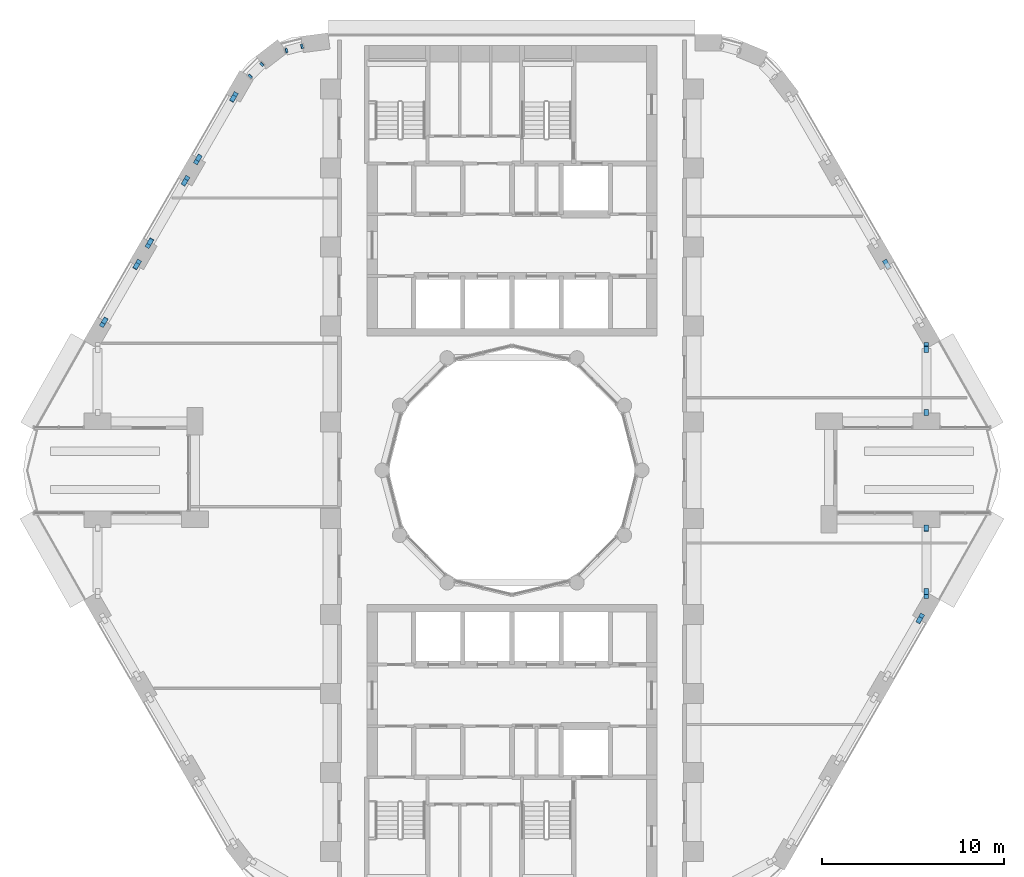
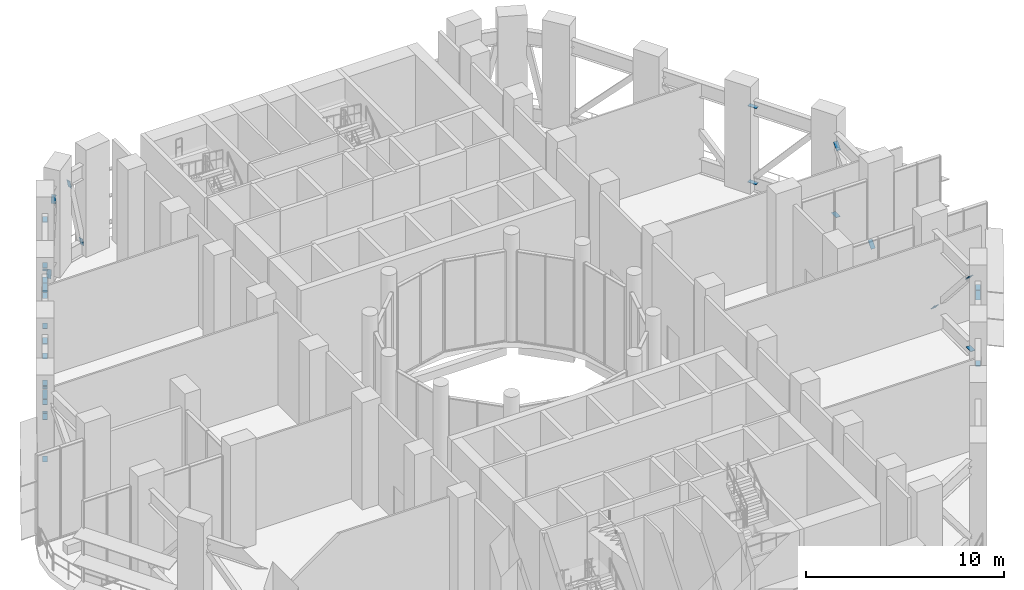
# One storey, part 14 of 20: 33 discrete accessories.
"""IFC4 building model written with IfcOpenShell, lengths in metres."""

from ifc_helpers import new_model, si_unit, direction, frame, origin, origin_2d, place, context, subcontext, project, spatial, rectangle, extrude, material, material_profile, profile_set, type_object, element, save


model = new_model("IFC4")

# Units and contexts
model_context = context("Model", 3, precision=1e-05, world=origin(), true_north=direction((0.0, 1.0)))
body_context = subcontext(model_context, "Body", "Model", "MODEL_VIEW")
ifc_project = project(units=[si_unit("LENGTHUNIT", "METRE"), si_unit("AREAUNIT", "SQUARE_METRE"), si_unit("VOLUMEUNIT", "CUBIC_METRE"), si_unit("PLANEANGLEUNIT", "RADIAN"), si_unit("MASSUNIT", "GRAM", prefix="KILO")], contexts=[model_context])

# Site, building, storey
site_placement = place(None, origin())
site = spatial("IfcSite", under=ifc_project, at=site_placement, CompositionType="ELEMENT")
building_placement = place(site_placement, origin())
building = spatial("IfcBuilding", under=site, at=building_placement, Name="Nakaniwa Court", CompositionType="ELEMENT")
storey_placement = place(building_placement, frame((0.0, 0.0, 71.10009765625)))
storey = spatial("IfcBuildingStorey", under=building, at=storey_placement, Name="S1", CompositionType="ELEMENT", Elevation=71.10009765625)

# Discrete accessories
ifc_material = material(Name="Steel Grade 350", Category="steel")
ifc_material_profile = material_profile(ifc_material, rectangle(XDim=0.25, YDim=0.02001953125, at=origin_2d()), Name="Truss end gusset plate 250x20")
ifc_profile_set = profile_set([ifc_material_profile], Name="Steel Grade 350")
discrete_accessory_type = type_object("IfcDiscreteAccessoryType", Name="Truss end gusset plate 250x20", PredefinedType="BRACKET", material=ifc_profile_set)
for number, where, z_axis, x_axis, name in (
    (1, (68.37451171875, 103.3369140625, 1.04638671875), (0.208476361943, 0.055170559484, -0.976470079356), (-0.255830332221, 0.966721697861, 0.0), "Gusset plate GU-095"),
    (2, (67.627685546875, 103.1376953125, 4.54345703125), (-0.208943305772, -0.055164938206, 0.976370587721), (0.255271590949, -0.966869388726, 0.0), "Gusset plate GU-096"),
    (3, (66.1865234375, 102.322021484375, 4.543701171875), (0.158660901137, 0.159149088525, 0.974422026676), (-0.708192131194, 0.706019762694, 0.0), "Gusset plate GU-097"),
    (4, (65.617431640625, 101.75146484375, 1.046142578125), (-0.158660901137, -0.159149088525, -0.974422026676), (0.708192131194, -0.706019762694, 0.0), "Gusset plate GU-098"),
):
    element("IfcDiscreteAccessory", number, at=place(storey_placement, frame(where, z_axis=z_axis, x_axis=x_axis)), inside=storey, type_object=discrete_accessory_type, Name=name, PredefinedType="BRACKET", context=body_context, shape_type="SweptSolid", body=[
        extrude(rectangle(XDim=0.25, YDim=0.02001953125, at=origin_2d()), origin(), (0.0, 0.0, 1.0), 0.5),
    ])
for number, where, z_axis, x_axis, name in (
    (5, (64.5673828125, 100.3701171875, 0.449951171875), (0.500131122175, 0.865949687125, 0.0), (-0.865949687125, 0.500131122175, 0.0), "Gusset plate GU-099"),
    (6, (62.804443359375, 97.31640625, 0.449951171875), (-0.500131122175, -0.865949687125, 0.0), (0.865949687125, -0.500131122175, 0.0), "Gusset plate GU-100"),
    (7, (64.5673828125, 100.3701171875, 5.139892578125), (0.500131122175, 0.865949687125, 0.0), (-0.865949687125, 0.500131122175, 0.0), "Gusset plate GU-101"),
    (8, (62.804443359375, 97.31640625, 5.139892578125), (-0.500131122175, -0.865949687125, 0.0), (0.865949687125, -0.500131122175, 0.0), "Gusset plate GU-102"),
):
    element("IfcDiscreteAccessory", number, at=place(storey_placement, frame(where, z_axis=z_axis, x_axis=x_axis)), inside=storey, type_object=discrete_accessory_type, Name=name, PredefinedType="BRACKET", context=body_context, shape_type="SweptSolid", body=[
        extrude(rectangle(XDim=0.25, YDim=0.02001953125, at=origin_2d()), origin(), (0.0, 0.0, 1.0), 0.499755859375),
    ])
for number, where, z_axis, x_axis, name in (
    (9, (64.540771484375, 100.323486328125, 1.00830078125), (0.345255139411, 0.598702688711, -0.722740603011), (-0.866279678162, 0.499559325009, 0.0), "Gusset plate GU-103"),
    (10, (62.831298828125, 97.363037109375, 4.58154296875), (-0.345685158394, -0.598601700835, 0.722618692689), (0.865973841288, -0.500089298231, 0.0), "Gusset plate GU-104"),
):
    element("IfcDiscreteAccessory", number, at=place(storey_placement, frame(where, z_axis=z_axis, x_axis=x_axis)), inside=storey, type_object=discrete_accessory_type, Name=name, PredefinedType="BRACKET", context=body_context, shape_type="SweptSolid", body=[
        extrude(rectangle(XDim=0.25, YDim=0.02001953125, at=origin_2d()), origin(), (0.0, 0.0, 1.0), 0.5),
    ])
discrete_accessory_1_placement = place(storey_placement, frame((61.904541015625, 95.7578125, 0.449951171875), z_axis=(0.500131122175, 0.865949687125, 0.0), x_axis=(-0.865949687125, 0.500131122175, 0.0)))
element("IfcDiscreteAccessory", 11, at=discrete_accessory_1_placement, inside=storey, type_object=discrete_accessory_type, Name="Gusset plate GU-105", PredefinedType="BRACKET", context=body_context, shape_type="SweptSolid", body=[
    extrude(rectangle(XDim=0.25, YDim=0.02001953125, at=origin_2d()), origin(), (0.0, 0.0, 1.0), 0.499755859375),
])
discrete_accessory_2_placement = place(storey_placement, frame((60.1416015625, 92.7041015625, 0.449951171875), z_axis=(-0.499919672301, -0.866071776036, 0.0), x_axis=(0.866071776036, -0.499919672301, 0.0)))
element("IfcDiscreteAccessory", 12, at=discrete_accessory_2_placement, inside=storey, type_object=discrete_accessory_type, Name="Gusset plate GU-106", PredefinedType="BRACKET", context=body_context, shape_type="SweptSolid", body=[
    extrude(rectangle(XDim=0.25, YDim=0.02001953125, at=origin_2d()), origin(), (0.0, 0.0, 1.0), 0.5),
])
discrete_accessory_3_placement = place(storey_placement, frame((61.904541015625, 95.7578125, 5.139892578125), z_axis=(0.500131122175, 0.865949687125, 0.0), x_axis=(-0.865949687125, 0.500131122175, 0.0)))
element("IfcDiscreteAccessory", 13, at=discrete_accessory_3_placement, inside=storey, type_object=discrete_accessory_type, Name="Gusset plate GU-107", PredefinedType="BRACKET", context=body_context, shape_type="SweptSolid", body=[
    extrude(rectangle(XDim=0.25, YDim=0.02001953125, at=origin_2d()), origin(), (0.0, 0.0, 1.0), 0.499755859375),
])
for number, where, z_axis, x_axis, name in (
    (14, (60.1416015625, 92.7041015625, 5.139892578125), (-0.499919672301, -0.866071776036, 0.0), (0.866071776036, -0.499919672301, 0.0), "Gusset plate GU-108"),
    (15, (61.877685546875, 95.711181640625, 4.58154296875), (0.345685158394, 0.598601700835, 0.722618692689), (-0.865973841288, 0.500089298231, 0.0), "Gusset plate GU-109"),
    (16, (60.16845703125, 92.75048828125, 1.00830078125), (-0.345786195145, -0.598288261374, -0.722829899457), (0.865797030805, -0.500395345151, 0.0), "Gusset plate GU-110"),
    (17, (59.24169921875, 91.145263671875, 0.449951171875), (0.499919672301, 0.866071776036, 0.0), (-0.866071776036, 0.499919672301, 0.0), "Gusset plate GU-111"),
    (18, (57.627197265625, 88.34912109375, 0.449951171875), (-0.499919672301, -0.866071776036, 0.0), (0.866071776036, -0.499919672301, 0.0), "Gusset plate GU-112"),
    (19, (59.24169921875, 91.145263671875, 5.139892578125), (0.499919672301, 0.866071776036, 0.0), (-0.866071776036, 0.499919672301, 0.0), "Gusset plate GU-113"),
    (20, (57.627197265625, 88.34912109375, 5.139892578125), (-0.499919672301, -0.866071776036, 0.0), (0.866071776036, -0.499919672301, 0.0), "Gusset plate GU-114"),
):
    element("IfcDiscreteAccessory", number, at=place(storey_placement, frame(where, z_axis=z_axis, x_axis=x_axis)), inside=storey, type_object=discrete_accessory_type, Name=name, PredefinedType="BRACKET", context=body_context, shape_type="SweptSolid", body=[
        extrude(rectangle(XDim=0.25, YDim=0.02001953125, at=origin_2d()), origin(), (0.0, 0.0, 1.0), 0.5),
    ])
for number, where, z_axis, x_axis, name in (
    (21, (59.217041015625, 91.102783203125, 1.0126953125), (0.32998239271, 0.571611511632, -0.751246897013), (-0.866050114754, 0.499957196903, 0.0), "Gusset plate GU-115"),
    (22, (57.651611328125, 88.3916015625, 4.5771484375), (-0.32998239271, -0.571611511632, 0.751246897013), (0.866050114754, -0.499957196903, 0.0), "Gusset plate GU-116"),
):
    element("IfcDiscreteAccessory", number, at=place(storey_placement, frame(where, z_axis=z_axis, x_axis=x_axis)), inside=storey, type_object=discrete_accessory_type, Name=name, PredefinedType="BRACKET", context=body_context, shape_type="SweptSolid", body=[
        extrude(rectangle(XDim=0.25, YDim=0.02001953125, at=origin_2d()), origin(), (0.0, 0.0, 1.0), 0.500244140625),
    ])
for number, where, z_axis, x_axis, name in (
    (23, (102.372802734375, 71.65087890625, 0.449951171875), (0.499919672301, 0.866071776036, 0.0), (-0.866071776036, 0.499919672301, 0.0), "Gusset plate GU-163"),
    (24, (102.372802734375, 71.65087890625, 5.139892578125), (0.499919672301, 0.866071776036, 0.0), (-0.866071776036, 0.499919672301, 0.0), "Gusset plate GU-165"),
):
    element("IfcDiscreteAccessory", number, at=place(storey_placement, frame(where, z_axis=z_axis, x_axis=x_axis)), inside=storey, type_object=discrete_accessory_type, Name=name, PredefinedType="BRACKET", context=body_context, shape_type="SweptSolid", body=[
        extrude(rectangle(XDim=0.25, YDim=0.02001953125, at=origin_2d()), origin(), (0.0, 0.0, 1.0), 0.5),
    ])
discrete_accessory_4_placement = place(storey_placement, frame((102.348388671875, 71.6083984375, 4.5771484375), z_axis=(0.32998239271, 0.571611511632, 0.751246897013), x_axis=(-0.866050114754, 0.499957196903, 0.0)))
element("IfcDiscreteAccessory", 25, at=discrete_accessory_4_placement, inside=storey, type_object=discrete_accessory_type, Name="Gusset plate GU-167", PredefinedType="BRACKET", context=body_context, shape_type="SweptSolid", body=[
    extrude(rectangle(XDim=0.25, YDim=0.02001953125, at=origin_2d()), origin(), (0.0, 0.0, 1.0), 0.500244140625),
])
discrete_accessory_5_placement = place(storey_placement, frame((102.822998046875, 73.4462890625, 0.449951171875), z_axis=(0.0, -1.0, 0.0), x_axis=(1.0, 0.0, 0.0)))
element("IfcDiscreteAccessory", 26, at=discrete_accessory_5_placement, inside=storey, type_object=discrete_accessory_type, Name="Gusset plate GU-168", PredefinedType="BRACKET", context=body_context, shape_type="SweptSolid", body=[
    extrude(rectangle(XDim=0.25, YDim=0.02001953125, at=origin_2d()), origin(), (0.0, 0.0, 1.0), 0.5),
])
discrete_accessory_6_placement = place(storey_placement, frame((102.822998046875, 73.49560546875, 4.57763671875), z_axis=(0.0, -0.662816244613, 0.748782095056), x_axis=(1.0, 0.0, 0.0)))
element("IfcDiscreteAccessory", 27, at=discrete_accessory_6_placement, inside=storey, type_object=discrete_accessory_type, Name="Gusset plate GU-169", PredefinedType="BRACKET", context=body_context, shape_type="SweptSolid", body=[
    extrude(rectangle(XDim=0.25, YDim=0.02001953125, at=origin_2d()), origin(), (0.0, 0.0, 1.0), 0.499755859375),
])
for number, where, z_axis, x_axis, name in (
    (28, (102.822998046875, 76.650634765625, 1.01220703125), (0.0, 0.662573882203, -0.74899656249), (-1.0, 0.0, 0.0), "Gusset plate GU-170"),
    (29, (102.822998046875, 86.5537109375, 0.449951171875), (0.0, 1.0, 0.0), (-1.0, 0.0, 0.0), "Gusset plate GU-171"),
    (30, (102.822998046875, 83.349365234375, 1.01220703125), (0.0, -0.662573882203, -0.74899656249), (1.0, 0.0, 0.0), "Gusset plate GU-172"),
):
    element("IfcDiscreteAccessory", number, at=place(storey_placement, frame(where, z_axis=z_axis, x_axis=x_axis)), inside=storey, type_object=discrete_accessory_type, Name=name, PredefinedType="BRACKET", context=body_context, shape_type="SweptSolid", body=[
        extrude(rectangle(XDim=0.25, YDim=0.02001953125, at=origin_2d()), origin(), (0.0, 0.0, 1.0), 0.5),
    ])
discrete_accessory_7_placement = place(storey_placement, frame((102.822998046875, 86.50439453125, 4.57763671875), z_axis=(0.0, 0.662816244613, 0.748782095056), x_axis=(-1.0, 0.0, 0.0)))
element("IfcDiscreteAccessory", 31, at=discrete_accessory_7_placement, inside=storey, type_object=discrete_accessory_type, Name="Gusset plate GU-173", PredefinedType="BRACKET", context=body_context, shape_type="SweptSolid", body=[
    extrude(rectangle(XDim=0.25, YDim=0.02001953125, at=origin_2d()), origin(), (0.0, 0.0, 1.0), 0.499755859375),
])
for number, where, z_axis, x_axis, name in (
    (32, (100.75830078125, 91.145263671875, 0.449951171875), (-0.499919672301, 0.866071776036, 0.0), (-0.866071776036, -0.499919672301, 0.0), "Gusset plate GU-175"),
    (33, (100.75830078125, 91.145263671875, 5.139892578125), (-0.499919672301, 0.866071776036, 0.0), (-0.866071776036, -0.499919672301, 0.0), "Gusset plate GU-177"),
):
    element("IfcDiscreteAccessory", number, at=place(storey_placement, frame(where, z_axis=z_axis, x_axis=x_axis)), inside=storey, type_object=discrete_accessory_type, Name=name, PredefinedType="BRACKET", context=body_context, shape_type="SweptSolid", body=[
        extrude(rectangle(XDim=0.25, YDim=0.02001953125, at=origin_2d()), origin(), (0.0, 0.0, 1.0), 0.5),
    ])

save(model, "model.ifc")
